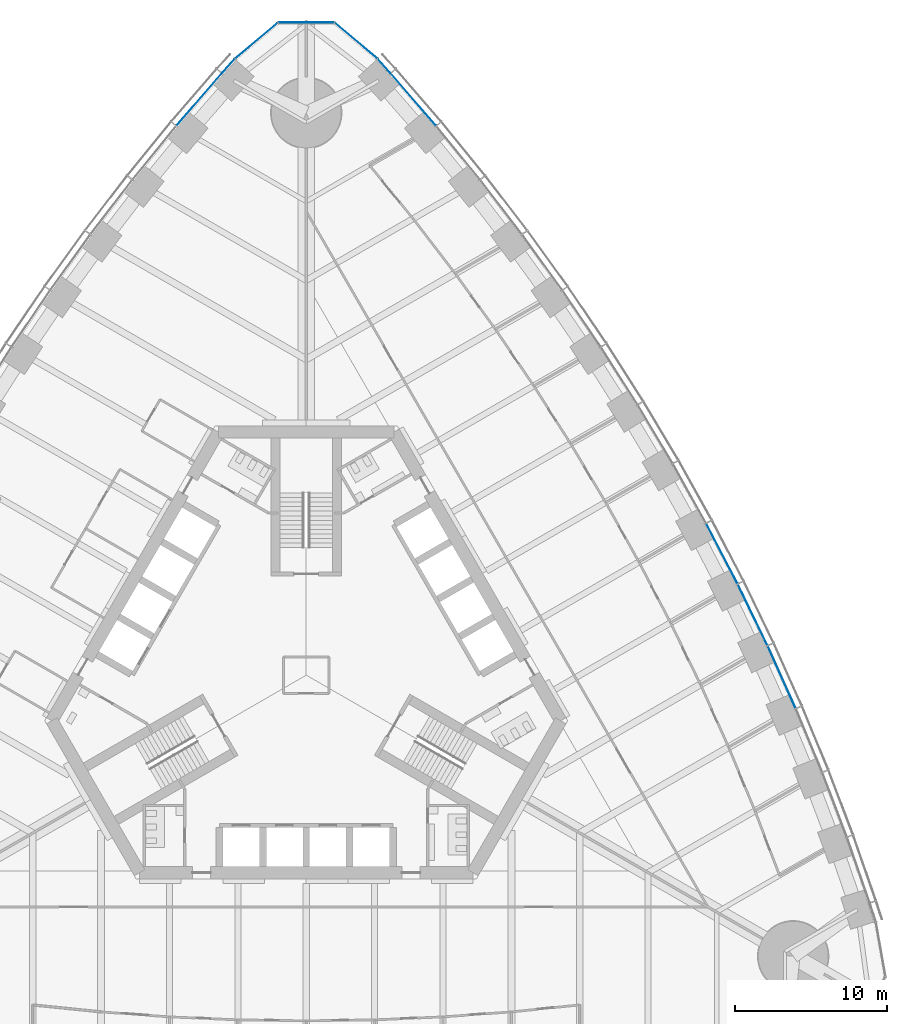
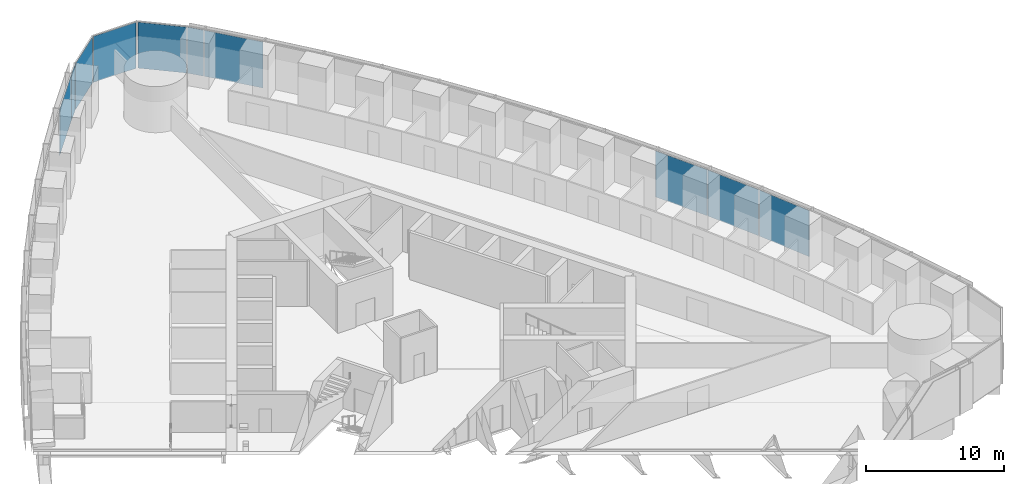
# One storey, part 9 of 18: 10 plates, 3 elements without a shape of their own.
"""IFC4 building model written with IfcOpenShell, lengths in metres."""

import ifcopenshell
import ifcopenshell.guid

model = None  # the IFC model being written
_history = None  # IfcOwnerHistory: only IFC2X3 demands one
_inside = {}  # id of a spatial element -> (the spatial element, [elements in it])
_under = {}  # id of a project, library or spatial element -> (it, [spatial elements below it])
_declared = {}  # id of a project -> (the project, [libraries it declares])
_typed = {}  # id of a type object -> (the type object, [elements of that type])
_made_of = {}  # id of a material, layer set ... -> (it, [elements and type objects made of it])


def new_model(schema):
    """Start an empty IFC model of exactly this schema.

    Asked for "IFC4X3", IfcOpenShell would pick the latest addendum, in which some entities
    have other attributes; the version numbers below select the first issue.
    IFC2X3 requires an IfcOwnerHistory on every rooted entity: one is made here for all.
    """
    global model, _history
    if schema == "IFC4X3":
        model = ifcopenshell.file(schema_version=(4, 3, 0, 0))
    else:
        model = ifcopenshell.file(schema=schema)
    _inside.clear()
    _under.clear()
    _declared.clear()
    _typed.clear()
    _made_of.clear()
    _history = None
    if model.schema == "IFC2X3":
        org = make("IfcOrganization", Name="unknown")
        user = make(
            "IfcPersonAndOrganization",
            ThePerson=make("IfcPerson", FamilyName="unknown"),
            TheOrganization=org,
        )
        app = make(
            "IfcApplication",
            ApplicationDeveloper=org,
            Version="unknown",
            ApplicationFullName="unknown",
            ApplicationIdentifier="unknown",
        )
        _history = make(
            "IfcOwnerHistory",
            OwningUser=user,
            OwningApplication=app,
            ChangeAction="ADDED",
            CreationDate=0,
        )
    return model


def make(cls, **values):
    """One entity of the class cls with the attributes given. An attribute that is None is left unset."""
    return model.create_entity(
        cls, **{name: value for name, value in values.items() if value is not None}
    )


def rooted(cls, **values):
    """An entity with a GlobalId (a new one), such as an element, a storey or a relation."""
    return make(cls, GlobalId=ifcopenshell.guid.new(), OwnerHistory=_history, **values)


def si_unit(unit_type, name, prefix=None):
    """IfcSIUnit, for example si_unit("LENGTHUNIT", "METRE", prefix="MILLI")."""
    return make("IfcSIUnit", UnitType=unit_type, Prefix=prefix, Name=name)


def assignment(units):
    """IfcUnitAssignment: the units of a project."""
    return None if units is None else make("IfcUnitAssignment", Units=units)


def point(xyz):
    """IfcCartesianPoint."""
    return None if xyz is None else make("IfcCartesianPoint", Coordinates=xyz)


def direction(xyz):
    """IfcDirection."""
    return None if xyz is None else make("IfcDirection", DirectionRatios=xyz)


def frame(location, z_axis=None, x_axis=None):
    """IfcAxis2Placement3D, a coordinate frame: its origin and axes. An axis left out is left unset."""
    return make(
        "IfcAxis2Placement3D",
        Location=point(location),
        Axis=direction(z_axis),
        RefDirection=direction(x_axis),
    )


def frame_2d(location, x_axis=None):
    """IfcAxis2Placement2D, a coordinate frame in the plane: its origin and x axis."""
    return make(
        "IfcAxis2Placement2D", Location=point(location), RefDirection=direction(x_axis)
    )


def origin():
    """The frame at (0, 0, 0) with its axes left unset."""
    return frame((0.0, 0.0, 0.0))


def origin_2d():
    """The frame at (0, 0) in the plane with its x axis left unset."""
    return frame_2d((0.0, 0.0))


def place(relative_to, where):
    """IfcLocalPlacement: puts the frame where relative to a parent placement (None: the world)."""
    return make(
        "IfcLocalPlacement", PlacementRelTo=relative_to, RelativePlacement=where
    )


def context(
    kind, dimensions, precision=None, world=None, true_north=None, identifier=None
):
    """IfcGeometricRepresentationContext, for example the 3D "Model" context."""
    return make(
        "IfcGeometricRepresentationContext",
        ContextIdentifier=identifier,
        ContextType=kind,
        CoordinateSpaceDimension=dimensions,
        Precision=precision,
        WorldCoordinateSystem=world,
        TrueNorth=true_north,
    )


def subcontext(parent, identifier, kind, view, scale=None):
    """IfcGeometricRepresentationSubContext, for example "Body" below "Model"."""
    return make(
        "IfcGeometricRepresentationSubContext",
        ContextIdentifier=identifier,
        ContextType=kind,
        ParentContext=parent,
        TargetScale=scale,
        TargetView=view,
    )


def project(units=None, contexts=None):
    """IfcProject with its units and contexts."""
    return rooted(
        "IfcProject",
        Name="project",
        RepresentationContexts=contexts,
        UnitsInContext=assignment(units),
    )


def spatial(cls, under=None, at=None, **own):
    """A site, building, storey or space (cls), placed at a placement, below another one or the project."""
    s = rooted(cls, ObjectPlacement=at, **own)
    if under is not None:
        _under.setdefault(under.id(), (under, []))[1].append(s)
    return s


def profile(cls, at=None, kind="AREA", **sizes):
    """A parametric profile (cls). Its sizes go by their IFC names, for example OverallWidth=200.0."""
    return make(cls, ProfileType=kind, Position=at, **sizes)


def rectangle(**sizes):
    """IfcRectangleProfileDef."""
    return profile("IfcRectangleProfileDef", **sizes)


def extrude(swept, where, along, depth):
    """IfcExtrudedAreaSolid: the profile swept, set in the frame where, extruded along a direction by depth."""
    return make(
        "IfcExtrudedAreaSolid",
        SweptArea=swept,
        Position=where,
        ExtrudedDirection=direction(along),
        Depth=depth,
    )


def shape(context_of_items, identifier, shape_type, items):
    """IfcShapeRepresentation: the items that make up one representation, for example the "Body"."""
    return make(
        "IfcShapeRepresentation",
        ContextOfItems=context_of_items,
        RepresentationIdentifier=identifier,
        RepresentationType=shape_type,
        Items=items,
    )


def material(Name=None, Category=None):
    """IfcMaterial."""
    return make("IfcMaterial", Name=Name, Category=Category)


def layer(
    of_material, thickness, ventilated=None, Name=None, Category=None, Priority=None
):
    """IfcMaterialLayer: one layer of a wall or slab, of a material (None: an air gap)."""
    return make(
        "IfcMaterialLayer",
        Material=of_material,
        LayerThickness=thickness,
        IsVentilated=ventilated,
        Name=Name,
        Category=Category,
        Priority=Priority,
    )


def layer_set(layers, Name=None):
    """IfcMaterialLayerSet."""
    return make("IfcMaterialLayerSet", MaterialLayers=layers, LayerSetName=Name)


def made_of(thing, what):
    """Note that an element or type object is made of a material, layer set ...; save() writes the relation."""
    if what is not None:
        _made_of.setdefault(what.id(), (what, []))[1].append(thing)
    return thing


def type_object(cls, material=None, **own):
    """A type object (cls), such as IfcWallType, which elements share."""
    return made_of(rooted(cls, **own), material)


def element(
    cls,
    number,
    at=None,
    inside=None,
    cuts=None,
    type_object=None,
    material=None,
    context=None,
    identifier="Body",
    shape_type=None,
    held_by="IfcProductDefinitionShape",
    body=None,
    shapes=None,
    **own,
):
    """One element of the class cls, such as IfcWall. Its Tag is "e" and its number.

    at: its placement. inside: the storey or other place that contains it. cuts: it is an
    opening in that element (IfcRelVoidsElement). A single representation is given by context,
    identifier, shape_type and body (its items); several are given by shapes. held_by: the class
    of the entity that holds the representations. save() writes the other relations.
    """
    e = rooted(cls, Tag="e%d" % number, ObjectPlacement=at, **own)
    if body is not None:
        shapes = [shape(context, identifier, shape_type, body)]
    if shapes is not None:
        e.Representation = make(held_by, Representations=shapes)
    if inside is not None:
        _inside.setdefault(inside.id(), (inside, []))[1].append(e)
    if cuts is not None:
        rooted(
            "IfcRelVoidsElement", RelatingBuildingElement=cuts, RelatedOpeningElement=e
        )
    if type_object is not None:
        _typed.setdefault(type_object.id(), (type_object, []))[1].append(e)
    return made_of(e, material)


def aggregate(whole, parts):
    """IfcRelAggregates: a whole, such as a stair, and the parts it consists of."""
    return rooted("IfcRelAggregates", RelatingObject=whole, RelatedObjects=parts)


def save(model, path):
    """Write the relations noted so far, then the file.

    IfcRelAggregates (storeys below a building ...), IfcRelContainedInSpatialStructure (elements
    in a storey), IfcRelDefinesByType, IfcRelAssociatesMaterial and IfcRelDeclares: one each for
    every whole, place, type object, material and project.
    """
    for whole, parts in _under.values():
        aggregate(whole, parts)
    for where, things in _inside.values():
        rooted(
            "IfcRelContainedInSpatialStructure",
            RelatedElements=things,
            RelatingStructure=where,
        )
    for kind, things in _typed.values():
        rooted("IfcRelDefinesByType", RelatedObjects=things, RelatingType=kind)
    for what, things in _made_of.values():
        rooted("IfcRelAssociatesMaterial", RelatedObjects=things, RelatingMaterial=what)
    for by, libraries in _declared.values():
        rooted("IfcRelDeclares", RelatingContext=by, RelatedDefinitions=libraries)
    model.write(path)


model = new_model("IFC4")

# Units and contexts
model_context = context("Model", 3, precision=1e-05, world=origin(), true_north=direction((0.0, 1.0)))
body_context = subcontext(model_context, "Body", "Model", "MODEL_VIEW")
ifc_project = project(units=[si_unit("LENGTHUNIT", "METRE"), si_unit("AREAUNIT", "SQUARE_METRE"), si_unit("VOLUMEUNIT", "CUBIC_METRE"), si_unit("PLANEANGLEUNIT", "RADIAN"), si_unit("MASSUNIT", "GRAM", prefix="KILO")], contexts=[model_context])

# Site, building, storey
site_placement = place(None, origin())
site = spatial("IfcSite", under=ifc_project, at=site_placement, CompositionType="ELEMENT")
building_placement = place(site_placement, origin())
building = spatial("IfcBuilding", under=site, at=building_placement, Name="Trefoil Bronze Tower", CompositionType="ELEMENT")
storey_placement = place(building_placement, frame((0.0, 0.0, 62.699951171875)))
storey = spatial("IfcBuildingStorey", under=building, at=storey_placement, Name="L14", CompositionType="ELEMENT", Elevation=62.699951171875)

# Curtain wall, plates
ifc_material_1 = material(Name="Tinted solar-control glass", Category="glass")
curtain_wall_type_1 = type_object("IfcCurtainWallType", Name="Bronze office curtain wall", PredefinedType="USERDEFINED", material=ifc_material_1)
curtain_wall_1_placement = place(storey_placement, origin())
curtain_wall_1 = element("IfcCurtainWall", 1, at=curtain_wall_1_placement, inside=storey, type_object=curtain_wall_type_1, Name="CW-A L14 F2", ObjectType="CURTAIN WALL", PredefinedType="USERDEFINED")
ifc_material_2 = material(Name="Tinted solar-control glass", Category="glass")
ifc_layer_1 = layer(ifc_material_2, 0.030029296875)
ifc_layer_set_1 = layer_set([ifc_layer_1], Name="Bronze office curtain wall glass panel")
plate_type_1 = type_object("IfcPlateType", Name="Bronze office curtain wall glass panel", PredefinedType="CURTAIN_PANEL", material=ifc_layer_set_1)
plate_1_placement = place(storey_placement, frame((31.28857421875, -0.1337890625, 0.0), z_axis=(0.0, 0.0, 1.0), x_axis=(-0.40945635808, 0.912329705111, 0.0)))
plate_1 = element("IfcPlate", 2, at=plate_1_placement, type_object=plate_type_1, Name="CW-A L14 F2 panel 5", PredefinedType="CURTAIN_PANEL", context=body_context, shape_type="SweptSolid", body=[
    extrude(rectangle(XDim=4.443359375, YDim=0.030029296875, at=origin_2d()), origin(), (0.0, 0.0, 1.0), 4.080078125),
])
plate_2_placement = place(storey_placement, frame((29.3779296875, 3.962646484375, 0.0), z_axis=(0.0, 0.0, 1.0), x_axis=(-0.4358553457, 0.900016731858, 0.0)))
plate_2 = element("IfcPlate", 3, at=plate_2_placement, type_object=plate_type_1, Name="CW-A L14 F2 panel 6", PredefinedType="CURTAIN_PANEL", context=body_context, shape_type="SweptSolid", body=[
    extrude(rectangle(XDim=4.431884765625, YDim=0.030029296875, at=origin_2d()), origin(), (0.0, 0.0, 1.0), 4.080078125),
])
plate_3_placement = place(storey_placement, frame((27.353271484375, 7.9931640625, 0.0), z_axis=(0.0, 0.0, 1.0), x_axis=(-0.46182981834, 0.886968555752, 0.0)))
plate_3 = element("IfcPlate", 4, at=plate_3_placement, type_object=plate_type_1, Name="CW-A L14 F2 panel 7", PredefinedType="CURTAIN_PANEL", context=body_context, shape_type="SweptSolid", body=[
    extrude(rectangle(XDim=4.42431640625, YDim=0.030029296875, at=origin_2d()), origin(), (0.0, 0.0, 1.0), 4.080078125),
])
plate_4_placement = place(storey_placement, frame((7.056396484375, 37.870849609375, 0.0), z_axis=(0.0, 0.0, 1.0), x_axis=(-0.654376090833, 0.756169248083, 0.0)))
plate_4 = element("IfcPlate", 5, at=plate_4_placement, type_object=plate_type_1, Name="CW-A L14 F2 panel 15", PredefinedType="CURTAIN_PANEL", context=body_context, shape_type="SweptSolid", body=[
    extrude(rectangle(XDim=4.502197265625, YDim=0.030029296875, at=origin_2d()), origin(), (0.0, 0.0, 1.0), 4.080078125),
])
plate_5_placement = place(storey_placement, frame((5.12451171875, 40.08447265625, 0.0), z_axis=(0.0, 0.0, 1.0), x_axis=(-0.668575006272, 0.743644714221, 0.0)))
plate_5 = element("IfcPlate", 6, at=plate_5_placement, type_object=plate_type_1, Name="CW-A L14 F2 panel 16", PredefinedType="CURTAIN_PANEL", context=body_context, shape_type="SweptSolid", body=[
    extrude(rectangle(XDim=1.21044921875, YDim=0.030029296875, at=origin_2d()), origin(), (0.0, 0.0, 1.0), 4.080078125),
])
aggregate(curtain_wall_1, [plate_1, plate_2, plate_3, plate_4, plate_5])

curtain_wall_2_placement = place(storey_placement, origin())
curtain_wall_2 = element("IfcCurtainWall", 7, at=curtain_wall_2_placement, inside=storey, type_object=curtain_wall_type_1, Name="CW-A L14 F3", ObjectType="CURTAIN WALL", PredefinedType="USERDEFINED")
plate_6_placement = place(storey_placement, frame((-5.12451171875, 40.08447265625, 0.0), z_axis=(0.0, 0.0, 1.0), x_axis=(-0.668575006272, -0.743644714221, 0.0)))
plate_6 = element("IfcPlate", 8, at=plate_6_placement, type_object=plate_type_1, Name="CW-A L14 F3 panel 1", PredefinedType="CURTAIN_PANEL", context=body_context, shape_type="SweptSolid", body=[
    extrude(rectangle(XDim=1.21044921875, YDim=0.030029296875, at=origin_2d()), origin(), (0.0, 0.0, 1.0), 4.080078125),
])
plate_7_placement = place(storey_placement, frame((-7.056396484375, 37.870849609375, 0.0), z_axis=(0.0, 0.0, 1.0), x_axis=(-0.654376090833, -0.756169248083, 0.0)))
plate_7 = element("IfcPlate", 9, at=plate_7_placement, type_object=plate_type_1, Name="CW-A L14 F3 panel 2", PredefinedType="CURTAIN_PANEL", context=body_context, shape_type="SweptSolid", body=[
    extrude(rectangle(XDim=4.502197265625, YDim=0.030029296875, at=origin_2d()), origin(), (0.0, 0.0, 1.0), 4.080078125),
])
aggregate(curtain_wall_2, [plate_6, plate_7])

ifc_material_3 = material(Name="Tinted solar-control glass", Category="glass")
curtain_wall_type_2 = type_object("IfcCurtainWallType", Name="Bronze rounded corner curtain wall", PredefinedType="USERDEFINED", material=ifc_material_3)
curtain_wall_3_placement = place(storey_placement, origin())
curtain_wall_3 = element("IfcCurtainWall", 10, at=curtain_wall_3_placement, inside=storey, type_object=curtain_wall_type_2, Name="CW-B L14 K2", ObjectType="CURTAIN WALL", PredefinedType="USERDEFINED")
ifc_material_4 = material(Name="Tinted solar-control glass", Category="glass")
ifc_layer_2 = layer(ifc_material_4, 0.030029296875)
ifc_layer_set_2 = layer_set([ifc_layer_2], Name="Bronze rounded corner curtain wall glass panel")
plate_type_2 = type_object("IfcPlateType", Name="Bronze rounded corner curtain wall glass panel", PredefinedType="CURTAIN_PANEL", material=ifc_layer_set_2)
plate_8_placement = place(storey_placement, frame((3.28564453125, 41.74658203125, 0.0), z_axis=(0.0, 0.0, 1.0), x_axis=(-0.766044443119, 0.642787609687, 0.0)))
plate_8 = element("IfcPlate", 11, at=plate_8_placement, type_object=plate_type_2, Name="CW-B L14 K2 panel 1", PredefinedType="CURTAIN_PANEL", context=body_context, shape_type="SweptSolid", body=[
    extrude(rectangle(XDim=3.588134765625, YDim=0.030029296875, at=origin_2d()), origin(), (0.0, 0.0, 1.0), 4.080078125),
])
plate_9_placement = place(storey_placement, frame((0.0, 42.9423828125, 0.0), z_axis=(0.0, 0.0, 1.0), x_axis=(-1.0, 0.0, 0.0)))
plate_9 = element("IfcPlate", 12, at=plate_9_placement, type_object=plate_type_2, Name="CW-B L14 K2 panel 2", PredefinedType="CURTAIN_PANEL", context=body_context, shape_type="SweptSolid", body=[
    extrude(rectangle(XDim=3.588134765625, YDim=0.030029296875, at=origin_2d()), origin(), (0.0, 0.0, 1.0), 4.080078125),
])
plate_10_placement = place(storey_placement, frame((-3.28564453125, 41.74658203125, 0.0), z_axis=(0.0, 0.0, 1.0), x_axis=(-0.766044443119, -0.642787609687, 0.0)))
plate_10 = element("IfcPlate", 13, at=plate_10_placement, type_object=plate_type_2, Name="CW-B L14 K2 panel 3", PredefinedType="CURTAIN_PANEL", context=body_context, shape_type="SweptSolid", body=[
    extrude(rectangle(XDim=3.588134765625, YDim=0.030029296875, at=origin_2d()), origin(), (0.0, 0.0, 1.0), 4.080078125),
])
aggregate(curtain_wall_3, [plate_8, plate_9, plate_10])

save(model, "model.ifc")
